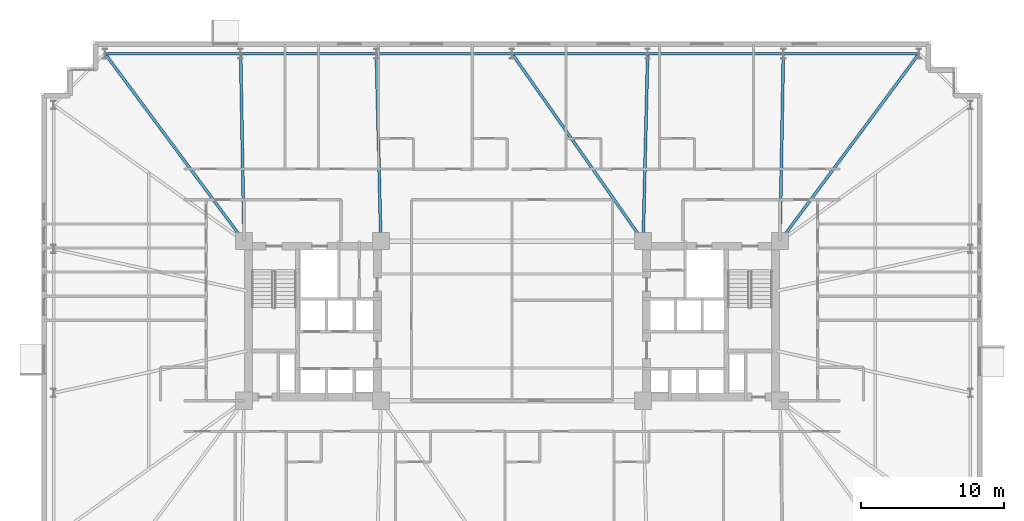
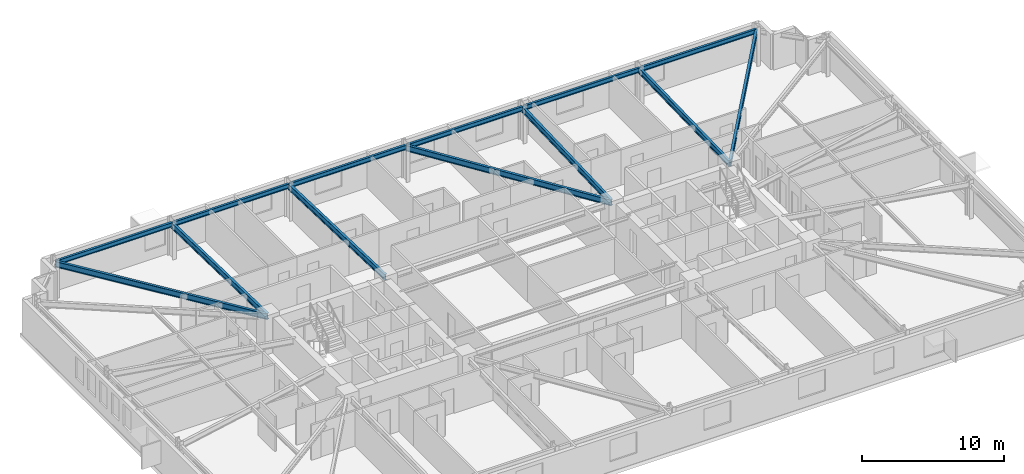
# One storey, part 9 of 21: 13 beams.
"""IFC4 building model written with IfcOpenShell, lengths in metres."""

from ifc_helpers import new_model, si_unit, direction, frame, origin, origin_2d, place, context, subcontext, project, spatial, i_section, extrude, material, material_profile, profile_set, type_object, element, save


model = new_model("IFC4")

# Units and contexts
model_context = context("Model", 3, precision=1e-05, world=origin(), true_north=direction((0.0, 1.0)))
body_context = subcontext(model_context, "Body", "Model", "MODEL_VIEW")
ifc_project = project(units=[si_unit("LENGTHUNIT", "METRE"), si_unit("AREAUNIT", "SQUARE_METRE"), si_unit("VOLUMEUNIT", "CUBIC_METRE"), si_unit("PLANEANGLEUNIT", "RADIAN"), si_unit("MASSUNIT", "GRAM", prefix="KILO")], contexts=[model_context])

# Site, building, storey
site_placement = place(None, origin())
site = spatial("IfcSite", under=ifc_project, at=site_placement, CompositionType="ELEMENT")
building_placement = place(site_placement, origin())
building = spatial("IfcBuilding", under=site, at=building_placement, Name="Qobustan Lattice House", CompositionType="ELEMENT")
storey_placement = place(building_placement, frame((0.0, 0.0, 30.35009765625)))
storey = spatial("IfcBuildingStorey", under=building, at=storey_placement, Name="L07", CompositionType="ELEMENT", Elevation=30.35009765625)

# Beams
ifc_material_1 = material(Name="Steel S355", Category="steel")
ifc_material_profile_1 = material_profile(ifc_material_1, i_section(OverallWidth=0.199951171875, OverallDepth=0.5, WebThickness=0.01025390625, FlangeThickness=0.01611328125, FilletRadius=0.02099609375, at=origin_2d()), Name="IPE500")
ifc_profile_set_1 = profile_set([ifc_material_profile_1], Name="Steel S355")
beam_type_1 = type_object("IfcBeamType", Name="BM-FLG-IPE500", PredefinedType="USERDEFINED", material=ifc_profile_set_1)
beam_1_placement = place(storey_placement, frame((-28.53515625, 18.72998046875, 2.784912109375), z_axis=(0.5955916815, -0.803287338956, 0.0), x_axis=(0.803287338956, 0.5955916815, 0.0)))
element("IfcBeam", 1, at=beam_1_placement, inside=storey, type_object=beam_type_1, Name="L07 primary floor girder RAD-N7W", ObjectType="GIRDER", PredefinedType="USERDEFINED", context=body_context, shape_type="SweptSolid", body=[
    extrude(i_section(OverallWidth=0.199951171875, OverallDepth=0.5, WebThickness=0.01025390625, FlangeThickness=0.01611328125, FilletRadius=0.02099609375, at=origin_2d()), origin(), (0.0, 0.0, 1.0), 16.3203125),
])
beam_2_placement = place(storey_placement, frame((-19.032958984375, 18.72509765625, 2.784912109375), z_axis=(0.017757831607, -0.999842317276, 0.0), x_axis=(0.999842317276, 0.017757831607, 0.0)))
element("IfcBeam", 2, at=beam_2_placement, inside=storey, type_object=beam_type_1, Name="L07 primary floor girder RAD-N6", ObjectType="GIRDER", PredefinedType="USERDEFINED", context=body_context, shape_type="SweptSolid", body=[
    extrude(i_section(OverallWidth=0.199951171875, OverallDepth=0.5, WebThickness=0.01025390625, FlangeThickness=0.01611328125, FilletRadius=0.02099609375, at=origin_2d()), origin(), (0.0, 0.0, 1.0), 13.10205078125),
])
beam_3_placement = place(storey_placement, frame((-9.51611328125, 18.72509765625, 2.784912109375), z_axis=(0.024071445657, -0.999710240772, 0.0), x_axis=(0.999710240772, 0.024071445657, 0.0)))
element("IfcBeam", 3, at=beam_3_placement, inside=storey, type_object=beam_type_1, Name="L07 primary floor girder RAD-N5", ObjectType="GIRDER", PredefinedType="USERDEFINED", context=body_context, shape_type="SweptSolid", body=[
    extrude(i_section(OverallWidth=0.199951171875, OverallDepth=0.5, WebThickness=0.01025390625, FlangeThickness=0.01611328125, FilletRadius=0.02099609375, at=origin_2d()), origin(), (0.0, 0.0, 1.0), 13.10400390625),
])
beam_4_placement = place(storey_placement, frame((0.014404296875, 18.7294921875, 2.784912109375), z_axis=(0.57325954206, -0.819373844736, 0.0), x_axis=(0.819373844736, 0.57325954206, 0.0)))
element("IfcBeam", 4, at=beam_4_placement, inside=storey, type_object=beam_type_1, Name="L07 primary floor girder RAD-N4", ObjectType="GIRDER", PredefinedType="USERDEFINED", context=body_context, shape_type="SweptSolid", body=[
    extrude(i_section(OverallWidth=0.199951171875, OverallDepth=0.5, WebThickness=0.01025390625, FlangeThickness=0.01611328125, FilletRadius=0.02099609375, at=origin_2d()), origin(), (0.0, 0.0, 1.0), 15.998779296875),
])
beam_5_placement = place(storey_placement, frame((9.51611328125, 18.72509765625, 2.784912109375), z_axis=(-0.024071445657, -0.999710240772, 0.0), x_axis=(0.999710240772, -0.024071445657, 0.0)))
element("IfcBeam", 5, at=beam_5_placement, inside=storey, type_object=beam_type_1, Name="L07 primary floor girder RAD-N3", ObjectType="GIRDER", PredefinedType="USERDEFINED", context=body_context, shape_type="SweptSolid", body=[
    extrude(i_section(OverallWidth=0.199951171875, OverallDepth=0.5, WebThickness=0.01025390625, FlangeThickness=0.01611328125, FilletRadius=0.02099609375, at=origin_2d()), origin(), (0.0, 0.0, 1.0), 13.10400390625),
])
beam_6_placement = place(storey_placement, frame((19.032958984375, 18.72509765625, 2.784912109375), z_axis=(-0.017757831607, -0.999842317276, 0.0), x_axis=(0.999842317276, -0.017757831607, 0.0)))
element("IfcBeam", 6, at=beam_6_placement, inside=storey, type_object=beam_type_1, Name="L07 primary floor girder RAD-N2", ObjectType="GIRDER", PredefinedType="USERDEFINED", context=body_context, shape_type="SweptSolid", body=[
    extrude(i_section(OverallWidth=0.199951171875, OverallDepth=0.5, WebThickness=0.01025390625, FlangeThickness=0.01611328125, FilletRadius=0.02099609375, at=origin_2d()), origin(), (0.0, 0.0, 1.0), 13.10205078125),
])
beam_7_placement = place(storey_placement, frame((28.53515625, 18.72998046875, 2.784912109375), z_axis=(-0.5955916815, -0.803287338956, 0.0), x_axis=(0.803287338956, -0.5955916815, 0.0)))
element("IfcBeam", 7, at=beam_7_placement, inside=storey, type_object=beam_type_1, Name="L07 primary floor girder RAD-N1E", ObjectType="GIRDER", PredefinedType="USERDEFINED", context=body_context, shape_type="SweptSolid", body=[
    extrude(i_section(OverallWidth=0.199951171875, OverallDepth=0.5, WebThickness=0.01025390625, FlangeThickness=0.01611328125, FilletRadius=0.02099609375, at=origin_2d()), origin(), (0.0, 0.0, 1.0), 16.3203125),
])
ifc_material_2 = material(Name="Steel S355", Category="steel")
ifc_material_profile_2 = material_profile(ifc_material_2, i_section(OverallWidth=0.179931640625, OverallDepth=0.39990234375, WebThickness=0.008544921875, FlangeThickness=0.013427734375, FilletRadius=0.02099609375, at=origin_2d()), Name="IPE400")
ifc_profile_set_2 = profile_set([ifc_material_profile_2], Name="Steel S355")
beam_type_2 = type_object("IfcBeamType", Name="BM-SPD-IPE400", PredefinedType="SPANDREL", material=ifc_profile_set_2)
for number, where, z_axis, x_axis, name in (
    (8, (28.52490234375, 18.75, 2.8349609375), (-1.0, 0.0, 0.0), (0.0, -1.0, 0.0), "L07 perimeter spandrel N1-N2"),
    (9, (19.00830078125, 18.75, 2.8349609375), (-1.0, 0.0, 0.0), (0.0, -1.0, 0.0), "L07 perimeter spandrel N2-N3"),
):
    element("IfcBeam", number, at=place(storey_placement, frame(where, z_axis=z_axis, x_axis=x_axis)), inside=storey, type_object=beam_type_2, Name=name, PredefinedType="SPANDREL", context=body_context, shape_type="SweptSolid", body=[
        extrude(i_section(OverallWidth=0.179931640625, OverallDepth=0.39990234375, WebThickness=0.008544921875, FlangeThickness=0.013427734375, FilletRadius=0.02099609375, at=origin_2d()), origin(), (0.0, 0.0, 1.0), 9.466552734375),
    ])
for number, where, z_axis, x_axis, name in (
    (10, (9.49169921875, 18.75, 2.8349609375), (-1.0, 0.0, 0.0), (0.0, -1.0, 0.0), "L07 perimeter spandrel N3-N4"),
    (11, (-0.02490234375, 18.75, 2.8349609375), (-1.0, 0.0, 0.0), (0.0, -1.0, 0.0), "L07 perimeter spandrel N4-N5"),
):
    element("IfcBeam", number, at=place(storey_placement, frame(where, z_axis=z_axis, x_axis=x_axis)), inside=storey, type_object=beam_type_2, Name=name, PredefinedType="SPANDREL", context=body_context, shape_type="SweptSolid", body=[
        extrude(i_section(OverallWidth=0.179931640625, OverallDepth=0.39990234375, WebThickness=0.008544921875, FlangeThickness=0.013427734375, FilletRadius=0.02099609375, at=origin_2d()), origin(), (0.0, 0.0, 1.0), 9.466796875),
    ])
for number, where, z_axis, x_axis, name in (
    (12, (-9.541748046875, 18.75, 2.8349609375), (-1.0, 0.0, 0.0), (0.0, -1.0, 0.0), "L07 perimeter spandrel N5-N6"),
    (13, (-19.058349609375, 18.75, 2.8349609375), (-1.0, 0.0, 0.0), (0.0, -1.0, 0.0), "L07 perimeter spandrel N6-N7"),
):
    element("IfcBeam", number, at=place(storey_placement, frame(where, z_axis=z_axis, x_axis=x_axis)), inside=storey, type_object=beam_type_2, Name=name, PredefinedType="SPANDREL", context=body_context, shape_type="SweptSolid", body=[
        extrude(i_section(OverallWidth=0.179931640625, OverallDepth=0.39990234375, WebThickness=0.008544921875, FlangeThickness=0.013427734375, FilletRadius=0.02099609375, at=origin_2d()), origin(), (0.0, 0.0, 1.0), 9.466552734375),
    ])

save(model, "model.ifc")
